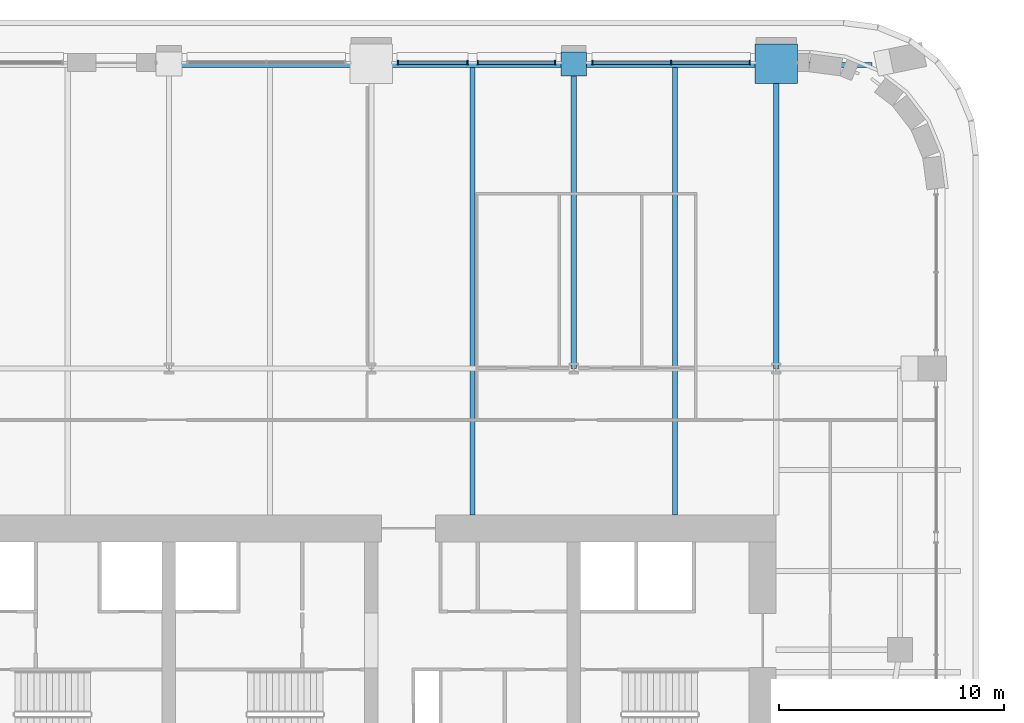
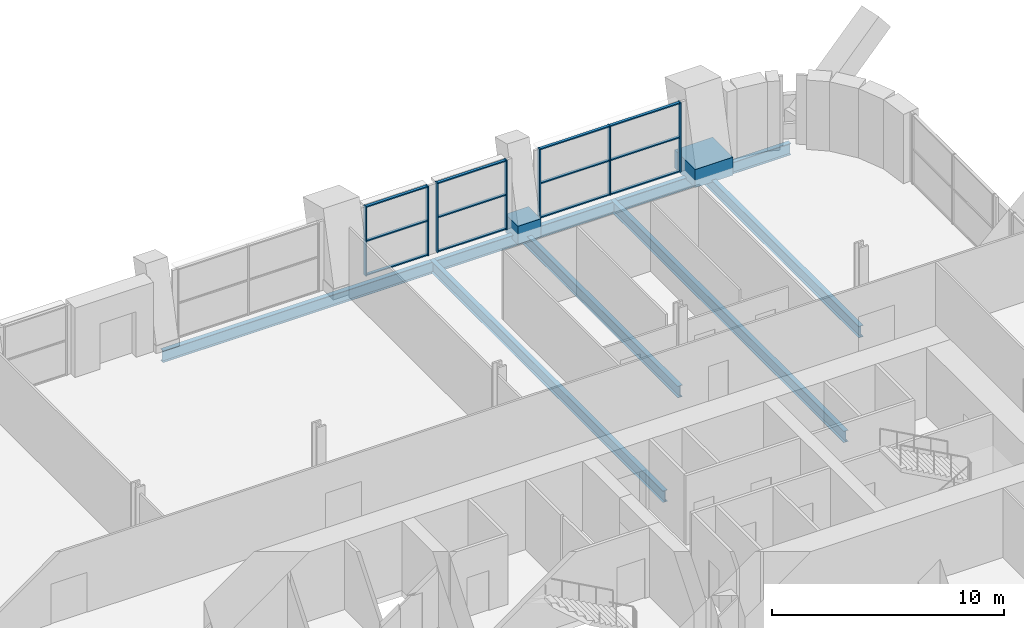
# One storey, part 10 of 26: 19 members, 8 beams, 3 elements without a shape of their own.
"""IFC4 building model written with IfcOpenShell, lengths in metres."""

from ifc_helpers import new_model, si_unit, direction, frame, origin, origin_2d, place, context, subcontext, project, spatial, rectangle, i_section, extrude, material, material_profile, profile_set, type_object, element, aggregate, save


model = new_model("IFC4")

# Units and contexts
model_context = context("Model", 3, precision=1e-05, world=origin(), true_north=direction((0.0, 1.0)))
body_context = subcontext(model_context, "Body", "Model", "MODEL_VIEW")
ifc_project = project(units=[si_unit("LENGTHUNIT", "METRE"), si_unit("AREAUNIT", "SQUARE_METRE"), si_unit("VOLUMEUNIT", "CUBIC_METRE"), si_unit("PLANEANGLEUNIT", "RADIAN"), si_unit("MASSUNIT", "GRAM", prefix="KILO")], contexts=[model_context])

# Site, building, storey
site_placement = place(None, origin())
site = spatial("IfcSite", under=ifc_project, at=site_placement, CompositionType="ELEMENT")
building_placement = place(site_placement, origin())
building = spatial("IfcBuilding", under=site, at=building_placement, Name="Zellij Exchange Tower", CompositionType="ELEMENT")
storey_placement = place(building_placement, frame((0.0, 0.0, 100.5)))
storey = spatial("IfcBuildingStorey", under=building, at=storey_placement, Name="L21", CompositionType="ELEMENT", Elevation=100.5)

# Curtain wall, members
ifc_material_1 = material(Name="Aluminium frame, clear insulating glass", Category="aluminium")
curtain_wall_type = type_object("IfcCurtainWallType", Name="ENV-CW6 Sky-lobby glazing", PredefinedType="NOTDEFINED", material=ifc_material_1)
curtain_wall_1_placement = place(storey_placement, origin())
curtain_wall_1 = element("IfcCurtainWall", 1, at=curtain_wall_1_placement, inside=storey, type_object=curtain_wall_type, Name="cw.L21.14b", PredefinedType="NOTDEFINED")
ifc_material_2 = material(Name="Aluminium", Category="aluminium")
ifc_material_profile_1 = material_profile(ifc_material_2, rectangle(XDim=0.06005859375, YDim=0.199951171875, at=origin_2d()), Name="AL 60x200")
ifc_profile_set_1 = profile_set([ifc_material_profile_1], Name="Aluminium")
member_type_1 = type_object("IfcMemberType", Name="ENV-CW6M Mullion 60x200", PredefinedType="MULLION", material=ifc_profile_set_1)
member_1_placement = place(storey_placement, frame((25.820068359375, 18.10009765625, 0.0), z_axis=(0.0, 0.0, 1.0), x_axis=(-1.0, 0.0, 0.0)))
member_1 = element("IfcMember", 2, at=member_1_placement, type_object=member_type_1, Name="CW6 mullion 1", PredefinedType="MULLION", context=body_context, shape_type="SweptSolid", body=[
    extrude(rectangle(XDim=0.06005859375, YDim=0.199951171875, at=origin_2d()), origin(), (0.0, 0.0, 1.0), 3.64990234375),
])
member_2_placement = place(storey_placement, frame((22.324951171875, 18.10009765625, 0.0), z_axis=(0.0, 0.0, 1.0), x_axis=(-1.0, 0.0, 0.0)))
member_2 = element("IfcMember", 3, at=member_2_placement, type_object=member_type_1, Name="CW6 mullion 2", PredefinedType="MULLION", context=body_context, shape_type="SweptSolid", body=[
    extrude(rectangle(XDim=0.06005859375, YDim=0.199951171875, at=origin_2d()), origin(), (0.0, 0.0, 1.0), 3.64990234375),
])
member_3_placement = place(storey_placement, frame((18.830078125, 18.10009765625, 0.0), z_axis=(0.0, 0.0, 1.0), x_axis=(-1.0, 0.0, 0.0)))
member_3 = element("IfcMember", 4, at=member_3_placement, type_object=member_type_1, Name="CW6 mullion 3", PredefinedType="MULLION", context=body_context, shape_type="SweptSolid", body=[
    extrude(rectangle(XDim=0.06005859375, YDim=0.199951171875, at=origin_2d()), origin(), (0.0, 0.0, 1.0), 3.64990234375),
])

curtain_wall_2_placement = place(storey_placement, origin())
curtain_wall_2 = element("IfcCurtainWall", 5, at=curtain_wall_2_placement, inside=storey, type_object=curtain_wall_type, Name="cw.L21.14c", PredefinedType="NOTDEFINED")
member_4_placement = place(storey_placement, frame((17.169921875, 18.10009765625, 0.0), z_axis=(0.0, 0.0, 1.0), x_axis=(-1.0, 0.0, 0.0)))
member_4 = element("IfcMember", 6, at=member_4_placement, type_object=member_type_1, Name="CW6 mullion 1", PredefinedType="MULLION", context=body_context, shape_type="SweptSolid", body=[
    extrude(rectangle(XDim=0.06005859375, YDim=0.199951171875, at=origin_2d()), origin(), (0.0, 0.0, 1.0), 3.64990234375),
])
member_5_placement = place(storey_placement, frame((13.72998046875, 18.10009765625, 0.0), z_axis=(0.0, 0.0, 1.0), x_axis=(-1.0, 0.0, 0.0)))
member_5 = element("IfcMember", 7, at=member_5_placement, type_object=member_type_1, Name="CW6 mullion 2", PredefinedType="MULLION", context=body_context, shape_type="SweptSolid", body=[
    extrude(rectangle(XDim=0.06005859375, YDim=0.199951171875, at=origin_2d()), origin(), (0.0, 0.0, 1.0), 3.64990234375),
])

curtain_wall_3_placement = place(storey_placement, origin())
curtain_wall_3 = element("IfcCurtainWall", 8, at=curtain_wall_3_placement, inside=storey, type_object=curtain_wall_type, Name="cw.L21.14d", PredefinedType="NOTDEFINED")
member_6_placement = place(storey_placement, frame((13.27001953125, 18.10009765625, 0.0), z_axis=(0.0, 0.0, 1.0), x_axis=(-1.0, 0.0, 0.0)))
member_6 = element("IfcMember", 9, at=member_6_placement, type_object=member_type_1, Name="CW6 mullion 1", PredefinedType="MULLION", context=body_context, shape_type="SweptSolid", body=[
    extrude(rectangle(XDim=0.06005859375, YDim=0.199951171875, at=origin_2d()), origin(), (0.0, 0.0, 1.0), 3.64990234375),
])
member_7_placement = place(storey_placement, frame((10.179931640625, 18.10009765625, 0.0), z_axis=(0.0, 0.0, 1.0), x_axis=(-1.0, 0.0, 0.0)))
member_7 = element("IfcMember", 10, at=member_7_placement, type_object=member_type_1, Name="CW6 mullion 2", PredefinedType="MULLION", context=body_context, shape_type="SweptSolid", body=[
    extrude(rectangle(XDim=0.06005859375, YDim=0.199951171875, at=origin_2d()), origin(), (0.0, 0.0, 1.0), 3.64990234375),
])

# Member
ifc_material_profile_2 = material_profile(ifc_material_2, rectangle(XDim=0.139892578125, YDim=0.06005859375, at=origin_2d()), Name="AL 140x60")
ifc_profile_set_2 = profile_set([ifc_material_profile_2], Name="Aluminium")
member_type_2 = type_object("IfcMemberType", Name="ENV-CW6T Transom 140x60", PredefinedType="USERDEFINED", material=ifc_profile_set_2)
member_8_placement = place(storey_placement, frame((25.7900390625, 18.10009765625, 0.030029296875), z_axis=(-1.0, 0.0, 0.0), x_axis=(0.0, -1.0, 0.0)))
member_8 = element("IfcMember", 11, at=member_8_placement, type_object=member_type_2, Name="CW6 transom 1.1", ObjectType="TRANSOM", PredefinedType="USERDEFINED", context=body_context, shape_type="SweptSolid", body=[
    extrude(rectangle(XDim=0.139892578125, YDim=0.06005859375, at=origin_2d()), origin(), (0.0, 0.0, 1.0), 3.43505859375),
])

member_9_placement = place(storey_placement, frame((25.7900390625, 18.10009765625, 1.824951171875), z_axis=(-1.0, 0.0, 0.0), x_axis=(0.0, -1.0, 0.0)))
member_9 = element("IfcMember", 12, at=member_9_placement, type_object=member_type_2, Name="CW6 transom 1.2", ObjectType="TRANSOM", PredefinedType="USERDEFINED", context=body_context, shape_type="SweptSolid", body=[
    extrude(rectangle(XDim=0.139892578125, YDim=0.06005859375, at=origin_2d()), origin(), (0.0, 0.0, 1.0), 3.43505859375),
])

member_10_placement = place(storey_placement, frame((25.7900390625, 18.10009765625, 3.6201171875), z_axis=(-1.0, 0.0, 0.0), x_axis=(0.0, -1.0, 0.0)))
member_10 = element("IfcMember", 13, at=member_10_placement, type_object=member_type_2, Name="CW6 transom 1.3", ObjectType="TRANSOM", PredefinedType="USERDEFINED", context=body_context, shape_type="SweptSolid", body=[
    extrude(rectangle(XDim=0.139892578125, YDim=0.06005859375, at=origin_2d()), origin(), (0.0, 0.0, 1.0), 3.43505859375),
])

member_11_placement = place(storey_placement, frame((22.294921875, 18.10009765625, 0.030029296875), z_axis=(-1.0, 0.0, 0.0), x_axis=(0.0, -1.0, 0.0)))
member_11 = element("IfcMember", 14, at=member_11_placement, type_object=member_type_2, Name="CW6 transom 2.1", ObjectType="TRANSOM", PredefinedType="USERDEFINED", context=body_context, shape_type="SweptSolid", body=[
    extrude(rectangle(XDim=0.139892578125, YDim=0.06005859375, at=origin_2d()), origin(), (0.0, 0.0, 1.0), 3.434814453125),
])

member_12_placement = place(storey_placement, frame((22.294921875, 18.10009765625, 1.824951171875), z_axis=(-1.0, 0.0, 0.0), x_axis=(0.0, -1.0, 0.0)))
member_12 = element("IfcMember", 15, at=member_12_placement, type_object=member_type_2, Name="CW6 transom 2.2", ObjectType="TRANSOM", PredefinedType="USERDEFINED", context=body_context, shape_type="SweptSolid", body=[
    extrude(rectangle(XDim=0.139892578125, YDim=0.06005859375, at=origin_2d()), origin(), (0.0, 0.0, 1.0), 3.434814453125),
])

member_13_placement = place(storey_placement, frame((22.294921875, 18.10009765625, 3.6201171875), z_axis=(-1.0, 0.0, 0.0), x_axis=(0.0, -1.0, 0.0)))
member_13 = element("IfcMember", 16, at=member_13_placement, type_object=member_type_2, Name="CW6 transom 2.3", ObjectType="TRANSOM", PredefinedType="USERDEFINED", context=body_context, shape_type="SweptSolid", body=[
    extrude(rectangle(XDim=0.139892578125, YDim=0.06005859375, at=origin_2d()), origin(), (0.0, 0.0, 1.0), 3.434814453125),
])

aggregate(curtain_wall_1, [member_1, member_2, member_3, member_8, member_9, member_10, member_11, member_12, member_13])

member_14_placement = place(storey_placement, frame((17.139892578125, 18.10009765625, 0.030029296875), z_axis=(-1.0, 0.0, 0.0), x_axis=(0.0, -1.0, 0.0)))
member_14 = element("IfcMember", 17, at=member_14_placement, type_object=member_type_2, Name="CW6 transom 1.1", ObjectType="TRANSOM", PredefinedType="USERDEFINED", context=body_context, shape_type="SweptSolid", body=[
    extrude(rectangle(XDim=0.139892578125, YDim=0.06005859375, at=origin_2d()), origin(), (0.0, 0.0, 1.0), 3.3798828125),
])

member_15_placement = place(storey_placement, frame((17.139892578125, 18.10009765625, 1.824951171875), z_axis=(-1.0, 0.0, 0.0), x_axis=(0.0, -1.0, 0.0)))
member_15 = element("IfcMember", 18, at=member_15_placement, type_object=member_type_2, Name="CW6 transom 1.2", ObjectType="TRANSOM", PredefinedType="USERDEFINED", context=body_context, shape_type="SweptSolid", body=[
    extrude(rectangle(XDim=0.139892578125, YDim=0.06005859375, at=origin_2d()), origin(), (0.0, 0.0, 1.0), 3.3798828125),
])

member_16_placement = place(storey_placement, frame((17.139892578125, 18.10009765625, 3.6201171875), z_axis=(-1.0, 0.0, 0.0), x_axis=(0.0, -1.0, 0.0)))
member_16 = element("IfcMember", 19, at=member_16_placement, type_object=member_type_2, Name="CW6 transom 1.3", ObjectType="TRANSOM", PredefinedType="USERDEFINED", context=body_context, shape_type="SweptSolid", body=[
    extrude(rectangle(XDim=0.139892578125, YDim=0.06005859375, at=origin_2d()), origin(), (0.0, 0.0, 1.0), 3.3798828125),
])

aggregate(curtain_wall_2, [member_4, member_5, member_14, member_15, member_16])

member_17_placement = place(storey_placement, frame((13.239990234375, 18.10009765625, 0.030029296875), z_axis=(-1.0, 0.0, 0.0), x_axis=(0.0, -1.0, 0.0)))
member_17 = element("IfcMember", 20, at=member_17_placement, type_object=member_type_2, Name="CW6 transom 1.1", ObjectType="TRANSOM", PredefinedType="USERDEFINED", context=body_context, shape_type="SweptSolid", body=[
    extrude(rectangle(XDim=0.139892578125, YDim=0.06005859375, at=origin_2d()), origin(), (0.0, 0.0, 1.0), 3.030029296875),
])

member_18_placement = place(storey_placement, frame((13.239990234375, 18.10009765625, 1.824951171875), z_axis=(-1.0, 0.0, 0.0), x_axis=(0.0, -1.0, 0.0)))
member_18 = element("IfcMember", 21, at=member_18_placement, type_object=member_type_2, Name="CW6 transom 1.2", ObjectType="TRANSOM", PredefinedType="USERDEFINED", context=body_context, shape_type="SweptSolid", body=[
    extrude(rectangle(XDim=0.139892578125, YDim=0.06005859375, at=origin_2d()), origin(), (0.0, 0.0, 1.0), 3.030029296875),
])

member_19_placement = place(storey_placement, frame((13.239990234375, 18.10009765625, 3.6201171875), z_axis=(-1.0, 0.0, 0.0), x_axis=(0.0, -1.0, 0.0)))
member_19 = element("IfcMember", 22, at=member_19_placement, type_object=member_type_2, Name="CW6 transom 1.3", ObjectType="TRANSOM", PredefinedType="USERDEFINED", context=body_context, shape_type="SweptSolid", body=[
    extrude(rectangle(XDim=0.139892578125, YDim=0.06005859375, at=origin_2d()), origin(), (0.0, 0.0, 1.0), 3.030029296875),
])

aggregate(curtain_wall_3, [member_6, member_7, member_17, member_18, member_19])

# Beams
ifc_material_3 = material(Name="Structural steel ASTM A992 Gr 50", Category="steel")
ifc_material_profile_3 = material_profile(ifc_material_3, i_section(OverallWidth=0.227783203125, OverallDepth=0.60205078125, WebThickness=0.010498046875, FlangeThickness=0.014892578125, at=origin_2d()), Name="W24x68")
ifc_profile_set_3 = profile_set([ifc_material_profile_3], Name="Structural steel ASTM A992 Gr 50")
beam_type_1 = type_object("IfcBeamType", Name="STR-BEAM W24x68", PredefinedType="BEAM", material=ifc_profile_set_3)
for number, where, z_axis, x_axis, name in (
    (23, (13.5, -2.0, -0.60107421875), (0.0, 1.0, 0.0), (-1.0, 0.0, 0.0), "B5"),
    (24, (22.5, -2.0, -0.60107421875), (0.0, 1.0, 0.0), (-1.0, 0.0, 0.0), "B5"),
):
    element("IfcBeam", number, at=place(storey_placement, frame(where, z_axis=z_axis, x_axis=x_axis)), inside=storey, type_object=beam_type_1, Name=name, PredefinedType="BEAM", context=body_context, shape_type="SweptSolid", body=[
        extrude(i_section(OverallWidth=0.227783203125, OverallDepth=0.60205078125, WebThickness=0.010498046875, FlangeThickness=0.014892578125, at=origin_2d()), origin(), (0.0, 0.0, 1.0), 20.114501953125),
    ])
ifc_material_profile_4 = material_profile(ifc_material_3, i_section(OverallWidth=0.22900390625, OverallDepth=0.612060546875, WebThickness=0.011962890625, FlangeThickness=0.01953125, at=origin_2d()), Name="W24x84")
ifc_profile_set_4 = profile_set([ifc_material_profile_4], Name="Structural steel ASTM A992 Gr 50")
beam_type_2 = type_object("IfcBeamType", Name="STR-GIRDER W24x84", PredefinedType="BEAM", material=ifc_profile_set_4)
beam_1_placement = place(storey_placement, frame((0.0, 18.0, -0.606201171875), z_axis=(1.0, 0.0, 0.0), x_axis=(0.0, 1.0, 0.0)))
element("IfcBeam", 25, at=beam_1_placement, inside=storey, type_object=beam_type_2, Name="G4", PredefinedType="BEAM", context=body_context, shape_type="SweptSolid", body=[
    extrude(i_section(OverallWidth=0.22900390625, OverallDepth=0.612060546875, WebThickness=0.011962890625, FlangeThickness=0.01953125, at=origin_2d()), origin(), (0.0, 0.0, 1.0), 18.0),
])
beam_2_placement = place(storey_placement, frame((18.0, 18.0, -0.606201171875), z_axis=(1.0, 0.0, 0.0), x_axis=(0.0, 1.0, 0.0)))
element("IfcBeam", 26, at=beam_2_placement, inside=storey, type_object=beam_type_2, Name="G4", PredefinedType="BEAM", context=body_context, shape_type="SweptSolid", body=[
    extrude(i_section(OverallWidth=0.22900390625, OverallDepth=0.612060546875, WebThickness=0.011962890625, FlangeThickness=0.01953125, at=origin_2d()), origin(), (0.0, 0.0, 1.0), 13.25),
])
for number, where, z_axis, x_axis, name in (
    (27, (18.0, 4.5, -0.606201171875), (0.0, 1.0, 0.0), (-1.0, 0.0, 0.0), "G4"),
    (28, (27.0, 4.5, -0.606201171875), (0.0, 1.0, 0.0), (-1.0, 0.0, 0.0), "G4"),
):
    element("IfcBeam", number, at=place(storey_placement, frame(where, z_axis=z_axis, x_axis=x_axis)), inside=storey, type_object=beam_type_2, Name=name, PredefinedType="BEAM", context=body_context, shape_type="SweptSolid", body=[
        extrude(i_section(OverallWidth=0.22900390625, OverallDepth=0.612060546875, WebThickness=0.011962890625, FlangeThickness=0.01953125, at=origin_2d()), origin(), (0.0, 0.0, 1.0), 13.5),
    ])
ifc_material_4 = material(Name="Concrete C70/85", Category="concrete")
ifc_material_profile_5 = material_profile(ifc_material_4, rectangle(XDim=1.14990234375, YDim=0.949951171875, at=origin_2d()), Name="STR-KNUCKLE BLOCK RC1150x950 C70/85")
ifc_profile_set_5 = profile_set([ifc_material_profile_5], Name="Concrete C70/85")
beam_type_3 = type_object("IfcBeamType", Name="STR-KNUCKLE BLOCK RC1150x950 C70/85", PredefinedType="BEAM", material=ifc_profile_set_5)
beam_3_placement = place(storey_placement, frame((18.0, 17.499755859375, -0.074951171875), z_axis=(0.0, 1.0, 0.0), x_axis=(-1.0, 0.0, 0.0)))
element("IfcBeam", 29, at=beam_3_placement, inside=storey, type_object=beam_type_3, Name="KB5", PredefinedType="BEAM", context=body_context, shape_type="SweptSolid", body=[
    extrude(rectangle(XDim=1.14990234375, YDim=0.949951171875, at=origin_2d()), origin(), (0.0, 0.0, 1.0), 1.067138671875),
])
ifc_material_profile_6 = material_profile(ifc_material_4, rectangle(XDim=1.89990234375, YDim=0.949951171875, at=origin_2d()), Name="STR-KNUCKLE BLOCK RC1900x950 C70/85")
ifc_profile_set_6 = profile_set([ifc_material_profile_6], Name="Concrete C70/85")
beam_type_4 = type_object("IfcBeamType", Name="STR-KNUCKLE BLOCK RC1900x950 C70/85", PredefinedType="BEAM", material=ifc_profile_set_6)
beam_4_placement = place(storey_placement, frame((27.0, 17.181396484375, 0.074951171875), z_axis=(0.0, 1.0, 0.0), x_axis=(-1.0, 0.0, 0.0)))
element("IfcBeam", 30, at=beam_4_placement, inside=storey, type_object=beam_type_4, Name="KB10", PredefinedType="BEAM", context=body_context, shape_type="SweptSolid", body=[
    extrude(rectangle(XDim=1.89990234375, YDim=0.949951171875, at=origin_2d()), origin(), (0.0, 0.0, 1.0), 1.746337890625),
])

save(model, "model.ifc")
